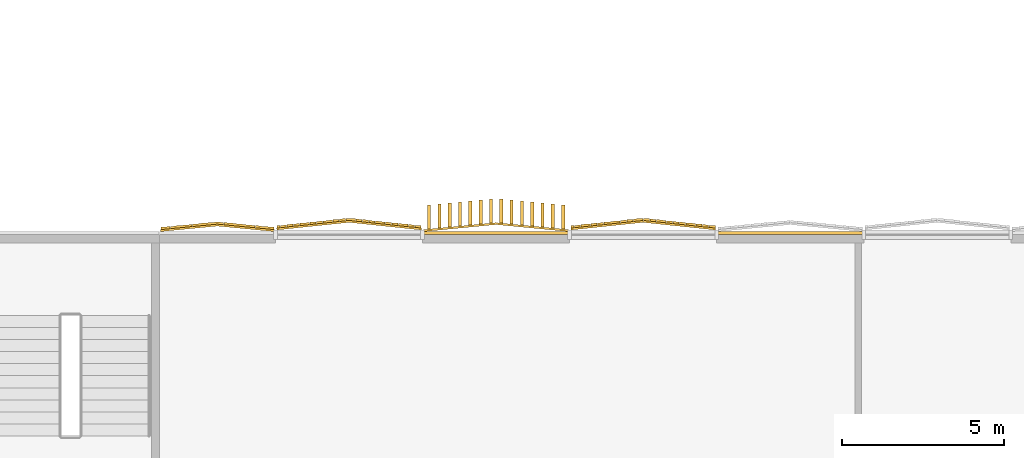
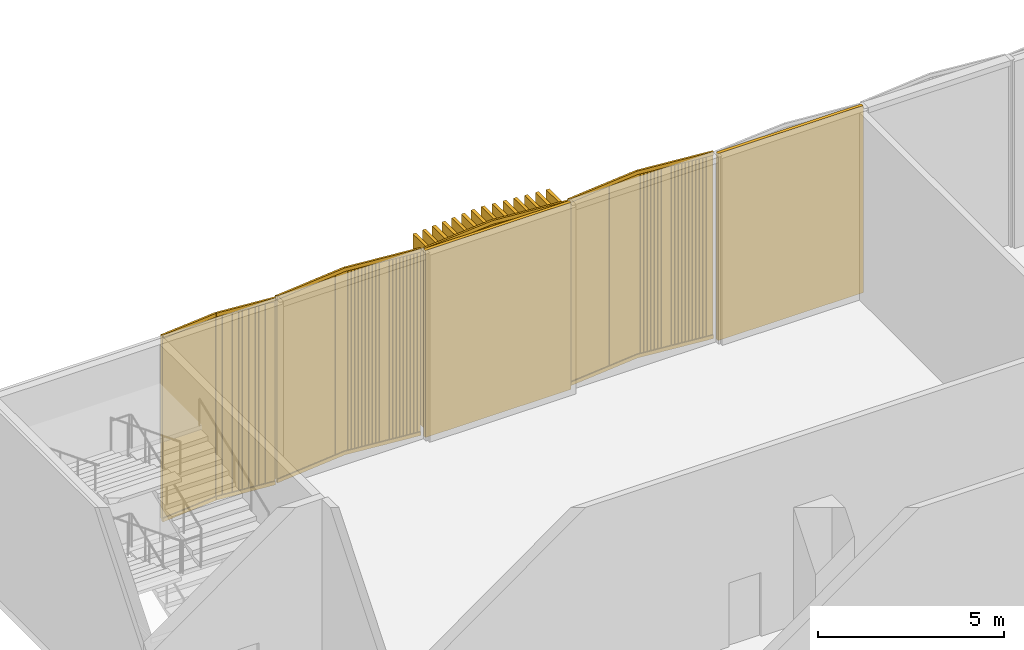
# One storey, part 30 of 32: 6 coverings.
"""IFC4 building model written with IfcOpenShell, lengths in metres."""

from ifc_helpers import new_model, si_unit, direction, frame, frame_2d, origin, origin_2d, place, context, subcontext, project, spatial, rectangle, extrude, source, transform, mapped, material, layer, layer_set, type_object, element, save


model = new_model("IFC4")

# Units and contexts
model_context = context("Model", 3, precision=1e-05, world=origin(), true_north=direction((0.0, 1.0)))
body_context = subcontext(model_context, "Body", "Model", "MODEL_VIEW")
ifc_project = project(units=[si_unit("LENGTHUNIT", "METRE"), si_unit("AREAUNIT", "SQUARE_METRE"), si_unit("VOLUMEUNIT", "CUBIC_METRE"), si_unit("PLANEANGLEUNIT", "RADIAN"), si_unit("MASSUNIT", "GRAM", prefix="KILO")], contexts=[model_context])

# Site, building, storey
site_placement = place(None, origin())
site = spatial("IfcSite", under=ifc_project, at=site_placement, CompositionType="ELEMENT")
building_placement = place(site_placement, origin())
building = spatial("IfcBuilding", under=site, at=building_placement, Name="Tamra Quay Hotel Tower", CompositionType="ELEMENT")
storey_placement = place(building_placement, frame((0.0, 0.0, 7.5)))
storey = spatial("IfcBuildingStorey", under=building, at=storey_placement, Name="L01", CompositionType="ELEMENT", Elevation=7.5)

# Coverings
ifc_material_1 = material(Name="Precast concrete M60 terracotta-coloured pierced relief", Category="masonry")
ifc_layer = layer(ifc_material_1, 0.10009765625)
ifc_layer_set = layer_set([ifc_layer], Name="PIERCED RELIEF PANEL 100")
covering_type_1 = type_object("IfcCoveringType", Name="PIERCED RELIEF PANEL 100", PredefinedType="CLADDING", material=ifc_layer_set)
for number, where, z_axis, x_axis, name in (
    (1, (-64.09619140625, 32.050048828125, 0.0), (0.0, 0.0, 1.0), (-1.0, 0.0, 0.0), "Relief panel L01.NW.18"),
    (2, (-73.1884765625, 32.050048828125, 0.0), (0.0, 0.0, 1.0), (-1.0, 0.0, 0.0), "Relief panel L01.NW.20"),
):
    element("IfcCovering", number, at=place(storey_placement, frame(where, z_axis=z_axis, x_axis=x_axis)), inside=storey, type_object=covering_type_1, Name=name, PredefinedType="CLADDING", context=body_context, shape_type="SweptSolid", body=[
        extrude(rectangle(XDim=4.526123046875, YDim=0.10009765625, at=origin_2d()), origin(), (0.0, 0.0, 1.0), 6.14990234375),
    ])
ifc_material_2 = material(Name="Terracotta baguette extruded", Category="masonry")
covering_type_2 = type_object("IfcCoveringType", Name="BAGUETTE SCREEN PODIUM-SHALLOW H6150", PredefinedType="USERDEFINED", material=ifc_material_2)
shared_shape_1 = source(origin(), body_context, "Body", "SweptSolid", [
    extrude(rectangle(XDim=2.244873046875, YDim=0.06005859375, at=frame_2d((1.12255859375, 0.030029296875))), frame((-2.23876953125, -0.0576171875, -0.1201171875), z_axis=(0.0, 0.0, 1.0), x_axis=(0.994521895368, -0.104528463268, 0.0)), (0.0, 0.0, 1.0), 0.1201171875),
    extrude(rectangle(XDim=2.244873046875, YDim=0.06005859375, at=frame_2d((1.12255859375, 0.030029296875))), frame((-2.23876953125, -0.0576171875, -6.14990234375), z_axis=(0.0, 0.0, 1.0), x_axis=(0.994521895368, -0.104528463268, 0.0)), (0.0, 0.0, 1.0), 0.1201171875),
    extrude(rectangle(XDim=0.094970703125, YDim=0.10009765625, at=frame_2d((0.04736328125, 0.050048828125))), frame((-2.229248046875, -0.13330078125, -6.090087890625)), (0.0, 0.0, 1.0), 6.030029296875),
    extrude(rectangle(XDim=0.094970703125, YDim=0.10009765625, at=frame_2d((0.04736328125, 0.050048828125))), frame((-2.127685546875, -0.14404296875, -6.090087890625)), (0.0, 0.0, 1.0), 6.030029296875),
    extrude(rectangle(XDim=0.094970703125, YDim=0.10009765625, at=frame_2d((0.04736328125, 0.050048828125))), frame((-2.0263671875, -0.154541015625, -6.090087890625)), (0.0, 0.0, 1.0), 6.030029296875),
    extrude(rectangle(XDim=0.094970703125, YDim=0.10009765625, at=frame_2d((0.04736328125, 0.050048828125))), frame((-1.9248046875, -0.165283203125, -6.090087890625)), (0.0, 0.0, 1.0), 6.030029296875),
    extrude(rectangle(XDim=0.094970703125, YDim=0.10009765625, at=frame_2d((0.04736328125, 0.050048828125))), frame((-1.8232421875, -0.176025390625, -6.090087890625)), (0.0, 0.0, 1.0), 6.030029296875),
    extrude(rectangle(XDim=0.094970703125, YDim=0.10009765625, at=frame_2d((0.04736328125, 0.050048828125))), frame((-1.721923828125, -0.186767578125, -6.090087890625)), (0.0, 0.0, 1.0), 6.030029296875),
    extrude(rectangle(XDim=0.094970703125, YDim=0.10009765625, at=frame_2d((0.04736328125, 0.050048828125))), frame((-1.620361328125, -0.197265625, -6.090087890625)), (0.0, 0.0, 1.0), 6.030029296875),
    extrude(rectangle(XDim=0.094970703125, YDim=0.10009765625, at=frame_2d((0.04736328125, 0.050048828125))), frame((-1.518798828125, -0.2080078125, -6.090087890625)), (0.0, 0.0, 1.0), 6.030029296875),
    extrude(rectangle(XDim=0.094970703125, YDim=0.10009765625, at=frame_2d((0.04736328125, 0.050048828125))), frame((-1.41748046875, -0.21875, -6.090087890625)), (0.0, 0.0, 1.0), 6.030029296875),
    extrude(rectangle(XDim=0.094970703125, YDim=0.10009765625, at=frame_2d((0.04736328125, 0.050048828125))), frame((-1.31591796875, -0.229248046875, -6.090087890625)), (0.0, 0.0, 1.0), 6.030029296875),
    extrude(rectangle(XDim=0.094970703125, YDim=0.10009765625, at=frame_2d((0.04736328125, 0.050048828125))), frame((-1.214599609375, -0.239990234375, -6.090087890625)), (0.0, 0.0, 1.0), 6.030029296875),
    extrude(rectangle(XDim=0.094970703125, YDim=0.10009765625, at=frame_2d((0.04736328125, 0.050048828125))), frame((-1.113037109375, -0.250732421875, -6.090087890625)), (0.0, 0.0, 1.0), 6.030029296875),
    extrude(rectangle(XDim=0.094970703125, YDim=0.10009765625, at=frame_2d((0.04736328125, 0.050048828125))), frame((-1.011474609375, -0.26123046875, -6.090087890625)), (0.0, 0.0, 1.0), 6.030029296875),
    extrude(rectangle(XDim=0.094970703125, YDim=0.10009765625, at=frame_2d((0.04736328125, 0.050048828125))), frame((-0.91015625, -0.27197265625, -6.090087890625)), (0.0, 0.0, 1.0), 6.030029296875),
    extrude(rectangle(XDim=0.094970703125, YDim=0.10009765625, at=frame_2d((0.04736328125, 0.050048828125))), frame((-0.80859375, -0.28271484375, -6.090087890625)), (0.0, 0.0, 1.0), 6.030029296875),
    extrude(rectangle(XDim=0.094970703125, YDim=0.10009765625, at=frame_2d((0.04736328125, 0.050048828125))), frame((-0.70703125, -0.293212890625, -6.090087890625)), (0.0, 0.0, 1.0), 6.030029296875),
    extrude(rectangle(XDim=0.094970703125, YDim=0.10009765625, at=frame_2d((0.04736328125, 0.050048828125))), frame((-0.605712890625, -0.303955078125, -6.090087890625)), (0.0, 0.0, 1.0), 6.030029296875),
    extrude(rectangle(XDim=0.094970703125, YDim=0.10009765625, at=frame_2d((0.04736328125, 0.050048828125))), frame((-0.504150390625, -0.314697265625, -6.090087890625)), (0.0, 0.0, 1.0), 6.030029296875),
    extrude(rectangle(XDim=0.094970703125, YDim=0.10009765625, at=frame_2d((0.04736328125, 0.050048828125))), frame((-0.402587890625, -0.325439453125, -6.090087890625)), (0.0, 0.0, 1.0), 6.030029296875),
    extrude(rectangle(XDim=0.094970703125, YDim=0.10009765625, at=frame_2d((0.04736328125, 0.050048828125))), frame((-0.30126953125, -0.3359375, -6.090087890625)), (0.0, 0.0, 1.0), 6.030029296875),
    extrude(rectangle(XDim=0.094970703125, YDim=0.10009765625, at=frame_2d((0.04736328125, 0.050048828125))), frame((-0.19970703125, -0.3466796875, -6.090087890625)), (0.0, 0.0, 1.0), 6.030029296875),
    extrude(rectangle(XDim=0.094970703125, YDim=0.10009765625, at=frame_2d((0.04736328125, 0.050048828125))), frame((-0.09814453125, -0.357421875, -6.090087890625)), (0.0, 0.0, 1.0), 6.030029296875),
    extrude(rectangle(XDim=2.244873046875, YDim=0.06005859375, at=frame_2d((1.12255859375, 0.030029296875))), frame((0.00634765625, -0.292236328125, -0.1201171875), z_axis=(0.0, 0.0, 1.0), x_axis=(0.994521895368, 0.104528463268, 0.0)), (0.0, 0.0, 1.0), 0.1201171875),
    extrude(rectangle(XDim=2.244873046875, YDim=0.06005859375, at=frame_2d((1.12255859375, 0.030029296875))), frame((0.00634765625, -0.292236328125, -6.14990234375), z_axis=(0.0, 0.0, 1.0), x_axis=(0.994521895368, 0.104528463268, 0.0)), (0.0, 0.0, 1.0), 0.1201171875),
    extrude(rectangle(XDim=0.094970703125, YDim=0.10009765625, at=frame_2d((0.04736328125, 0.050048828125))), frame((0.003173828125, -0.357421875, -6.090087890625)), (0.0, 0.0, 1.0), 6.030029296875),
    extrude(rectangle(XDim=0.094970703125, YDim=0.10009765625, at=frame_2d((0.04736328125, 0.050048828125))), frame((0.104736328125, -0.3466796875, -6.090087890625)), (0.0, 0.0, 1.0), 6.030029296875),
    extrude(rectangle(XDim=0.094970703125, YDim=0.10009765625, at=frame_2d((0.04736328125, 0.050048828125))), frame((0.206298828125, -0.3359375, -6.090087890625)), (0.0, 0.0, 1.0), 6.030029296875),
    extrude(rectangle(XDim=0.094970703125, YDim=0.10009765625, at=frame_2d((0.04736328125, 0.050048828125))), frame((0.3076171875, -0.325439453125, -6.090087890625)), (0.0, 0.0, 1.0), 6.030029296875),
    extrude(rectangle(XDim=0.094970703125, YDim=0.10009765625, at=frame_2d((0.04736328125, 0.050048828125))), frame((0.4091796875, -0.314697265625, -6.090087890625)), (0.0, 0.0, 1.0), 6.030029296875),
    extrude(rectangle(XDim=0.094970703125, YDim=0.10009765625, at=frame_2d((0.04736328125, 0.050048828125))), frame((0.510498046875, -0.303955078125, -6.090087890625)), (0.0, 0.0, 1.0), 6.030029296875),
    extrude(rectangle(XDim=0.094970703125, YDim=0.10009765625, at=frame_2d((0.04736328125, 0.050048828125))), frame((0.612060546875, -0.293212890625, -6.090087890625)), (0.0, 0.0, 1.0), 6.030029296875),
    extrude(rectangle(XDim=0.094970703125, YDim=0.10009765625, at=frame_2d((0.04736328125, 0.050048828125))), frame((0.713623046875, -0.28271484375, -6.090087890625)), (0.0, 0.0, 1.0), 6.030029296875),
    extrude(rectangle(XDim=0.094970703125, YDim=0.10009765625, at=frame_2d((0.04736328125, 0.050048828125))), frame((0.81494140625, -0.27197265625, -6.090087890625)), (0.0, 0.0, 1.0), 6.030029296875),
    extrude(rectangle(XDim=0.094970703125, YDim=0.10009765625, at=frame_2d((0.04736328125, 0.050048828125))), frame((0.91650390625, -0.26123046875, -6.090087890625)), (0.0, 0.0, 1.0), 6.030029296875),
    extrude(rectangle(XDim=0.094970703125, YDim=0.10009765625, at=frame_2d((0.04736328125, 0.050048828125))), frame((1.01806640625, -0.250732421875, -6.090087890625)), (0.0, 0.0, 1.0), 6.030029296875),
    extrude(rectangle(XDim=0.094970703125, YDim=0.10009765625, at=frame_2d((0.04736328125, 0.050048828125))), frame((1.119384765625, -0.239990234375, -6.090087890625)), (0.0, 0.0, 1.0), 6.030029296875),
    extrude(rectangle(XDim=0.094970703125, YDim=0.10009765625, at=frame_2d((0.04736328125, 0.050048828125))), frame((1.220947265625, -0.229248046875, -6.090087890625)), (0.0, 0.0, 1.0), 6.030029296875),
    extrude(rectangle(XDim=0.094970703125, YDim=0.10009765625, at=frame_2d((0.04736328125, 0.050048828125))), frame((1.322509765625, -0.21875, -6.090087890625)), (0.0, 0.0, 1.0), 6.030029296875),
    extrude(rectangle(XDim=0.094970703125, YDim=0.10009765625, at=frame_2d((0.04736328125, 0.050048828125))), frame((1.423828125, -0.2080078125, -6.090087890625)), (0.0, 0.0, 1.0), 6.030029296875),
    extrude(rectangle(XDim=0.094970703125, YDim=0.10009765625, at=frame_2d((0.04736328125, 0.050048828125))), frame((1.525390625, -0.197265625, -6.090087890625)), (0.0, 0.0, 1.0), 6.030029296875),
    extrude(rectangle(XDim=0.094970703125, YDim=0.10009765625, at=frame_2d((0.04736328125, 0.050048828125))), frame((1.626953125, -0.186767578125, -6.090087890625)), (0.0, 0.0, 1.0), 6.030029296875),
    extrude(rectangle(XDim=0.094970703125, YDim=0.10009765625, at=frame_2d((0.04736328125, 0.050048828125))), frame((1.728271484375, -0.176025390625, -6.090087890625)), (0.0, 0.0, 1.0), 6.030029296875),
    extrude(rectangle(XDim=0.094970703125, YDim=0.10009765625, at=frame_2d((0.04736328125, 0.050048828125))), frame((1.829833984375, -0.165283203125, -6.090087890625)), (0.0, 0.0, 1.0), 6.030029296875),
    extrude(rectangle(XDim=0.094970703125, YDim=0.10009765625, at=frame_2d((0.04736328125, 0.050048828125))), frame((1.931396484375, -0.154541015625, -6.090087890625)), (0.0, 0.0, 1.0), 6.030029296875),
    extrude(rectangle(XDim=0.094970703125, YDim=0.10009765625, at=frame_2d((0.04736328125, 0.050048828125))), frame((2.03271484375, -0.14404296875, -6.090087890625)), (0.0, 0.0, 1.0), 6.030029296875),
    extrude(rectangle(XDim=0.094970703125, YDim=0.10009765625, at=frame_2d((0.04736328125, 0.050048828125))), frame((2.13427734375, -0.13330078125, -6.090087890625)), (0.0, 0.0, 1.0), 6.030029296875),
])
for number, where, z_axis, x_axis, name in (
    (3, (-68.642333984375, 32.14794921875, 6.14990234375), (0.0, 0.0, 1.0), (-1.0, 0.0, 0.0), "Baguette screen L01.NW.f02"),
    (4, (-77.734619140625, 32.14794921875, 6.14990234375), (0.0, 0.0, 1.0), (-1.0, 0.0, 0.0), "Baguette screen L01.NW.f03"),
):
    element("IfcCovering", number, at=place(storey_placement, frame(where, z_axis=z_axis, x_axis=x_axis)), inside=storey, type_object=covering_type_2, Name=name, ObjectType="BAGUETTE SCREEN", PredefinedType="USERDEFINED", context=body_context, shape_type="MappedRepresentation", body=[
        mapped(shared_shape_1, transform((0.0, 0.0, 0.0), scale=1.0)),
    ])
covering_type_3 = type_object("IfcCoveringType", Name="BAGUETTE SCREEN NW-DEEP H6150", PredefinedType="USERDEFINED", material=ifc_material_2)
shared_shape_2 = source(origin(), body_context, "Body", "SweptSolid", [
    extrude(rectangle(XDim=2.242919921875, YDim=0.06005859375, at=frame_2d((1.12158203125, 0.030029296875))), frame((-2.23828125, -0.0576171875, -0.1201171875), z_axis=(0.0, 0.0, 1.0), x_axis=(0.995396198367, -0.09584575252, 0.0)), (0.0, 0.0, 1.0), 0.1201171875),
    extrude(rectangle(XDim=2.242919921875, YDim=0.06005859375, at=frame_2d((1.12158203125, 0.030029296875))), frame((-2.23828125, -0.0576171875, -6.14990234375), z_axis=(0.0, 0.0, 1.0), x_axis=(0.995396198367, -0.09584575252, 0.0)), (0.0, 0.0, 1.0), 0.1201171875),
    extrude(rectangle(XDim=0.10009765625, YDim=0.780029296875, at=frame_2d((0.050048828125, 0.39013671875))), frame((-2.123046875, -0.8232421875, -6.090087890625)), (0.0, 0.0, 1.0), 6.030029296875),
    extrude(rectangle(XDim=0.10009765625, YDim=0.780029296875, at=frame_2d((0.050048828125, 0.39013671875))), frame((-1.80419921875, -0.85400390625, -6.090087890625)), (0.0, 0.0, 1.0), 6.030029296875),
    extrude(rectangle(XDim=0.10009765625, YDim=0.780029296875, at=frame_2d((0.050048828125, 0.39013671875))), frame((-1.485107421875, -0.884765625, -6.090087890625)), (0.0, 0.0, 1.0), 6.030029296875),
    extrude(rectangle(XDim=0.10009765625, YDim=0.780029296875, at=frame_2d((0.050048828125, 0.39013671875))), frame((-1.166259765625, -0.91552734375, -6.090087890625)), (0.0, 0.0, 1.0), 6.030029296875),
    extrude(rectangle(XDim=0.10009765625, YDim=0.780029296875, at=frame_2d((0.050048828125, 0.39013671875))), frame((-0.847412109375, -0.9462890625, -6.090087890625)), (0.0, 0.0, 1.0), 6.030029296875),
    extrude(rectangle(XDim=0.10009765625, YDim=0.780029296875, at=frame_2d((0.050048828125, 0.39013671875))), frame((-0.5283203125, -0.976806640625, -6.090087890625)), (0.0, 0.0, 1.0), 6.030029296875),
    extrude(rectangle(XDim=0.10009765625, YDim=0.780029296875, at=frame_2d((0.050048828125, 0.39013671875))), frame((-0.20947265625, -1.007568359375, -6.090087890625)), (0.0, 0.0, 1.0), 6.030029296875),
    extrude(rectangle(XDim=2.242919921875, YDim=0.06005859375, at=frame_2d((1.12158203125, 0.030029296875))), frame((0.005859375, -0.272705078125, -0.1201171875), z_axis=(0.0, 0.0, 1.0), x_axis=(0.995396198367, 0.09584575252, 0.0)), (0.0, 0.0, 1.0), 0.1201171875),
    extrude(rectangle(XDim=2.242919921875, YDim=0.06005859375, at=frame_2d((1.12158203125, 0.030029296875))), frame((0.005859375, -0.272705078125, -6.14990234375), z_axis=(0.0, 0.0, 1.0), x_axis=(0.995396198367, 0.09584575252, 0.0)), (0.0, 0.0, 1.0), 0.1201171875),
    extrude(rectangle(XDim=0.10009765625, YDim=0.780029296875, at=frame_2d((0.050048828125, 0.39013671875))), frame((0.109375, -1.007568359375, -6.090087890625)), (0.0, 0.0, 1.0), 6.030029296875),
    extrude(rectangle(XDim=0.10009765625, YDim=0.780029296875, at=frame_2d((0.050048828125, 0.39013671875))), frame((0.428466796875, -0.976806640625, -6.090087890625)), (0.0, 0.0, 1.0), 6.030029296875),
    extrude(rectangle(XDim=0.10009765625, YDim=0.780029296875, at=frame_2d((0.050048828125, 0.39013671875))), frame((0.747314453125, -0.9462890625, -6.090087890625)), (0.0, 0.0, 1.0), 6.030029296875),
    extrude(rectangle(XDim=0.10009765625, YDim=0.780029296875, at=frame_2d((0.050048828125, 0.39013671875))), frame((1.066162109375, -0.91552734375, -6.090087890625)), (0.0, 0.0, 1.0), 6.030029296875),
    extrude(rectangle(XDim=0.10009765625, YDim=0.780029296875, at=frame_2d((0.050048828125, 0.39013671875))), frame((1.38525390625, -0.884765625, -6.090087890625)), (0.0, 0.0, 1.0), 6.030029296875),
    extrude(rectangle(XDim=0.10009765625, YDim=0.780029296875, at=frame_2d((0.050048828125, 0.39013671875))), frame((1.7041015625, -0.85400390625, -6.090087890625)), (0.0, 0.0, 1.0), 6.030029296875),
    extrude(rectangle(XDim=0.10009765625, YDim=0.780029296875, at=frame_2d((0.050048828125, 0.39013671875))), frame((2.02294921875, -0.8232421875, -6.090087890625)), (0.0, 0.0, 1.0), 6.030029296875),
])
covering_1_placement = place(storey_placement, frame((-73.1884765625, 32.10009765625, 6.14990234375), z_axis=(0.0, 0.0, 1.0), x_axis=(-1.0, 0.0, 0.0)))
element("IfcCovering", 5, at=covering_1_placement, inside=storey, type_object=covering_type_3, Name="Baguette screen wing.L01.NW.20", ObjectType="BAGUETTE SCREEN", PredefinedType="USERDEFINED", context=body_context, shape_type="MappedRepresentation", body=[
    mapped(shared_shape_2, transform((0.0, 0.0, 0.0), scale=1.0)),
])
covering_type_4 = type_object("IfcCoveringType", Name="BAGUETTE SCREEN NW-SHALLOW H6150", PredefinedType="USERDEFINED", material=ifc_material_2)
shared_shape_3 = source(origin(), body_context, "Body", "SweptSolid", [
    extrude(rectangle(XDim=1.760498046875, YDim=0.06005859375, at=frame_2d((0.88037109375, 0.030029296875))), frame((-1.75830078125, -0.0576171875, -0.1201171875), z_axis=(0.0, 0.0, 1.0), x_axis=(0.995396198367, -0.09584575252, 0.0)), (0.0, 0.0, 1.0), 0.1201171875),
    extrude(rectangle(XDim=1.760498046875, YDim=0.06005859375, at=frame_2d((0.88037109375, 0.030029296875))), frame((-1.75830078125, -0.0576171875, -6.14990234375), z_axis=(0.0, 0.0, 1.0), x_axis=(0.995396198367, -0.09584575252, 0.0)), (0.0, 0.0, 1.0), 0.1201171875),
    extrude(rectangle(XDim=0.094970703125, YDim=0.10009765625, at=frame_2d((0.04736328125, 0.050048828125))), frame((-1.751220703125, -0.132568359375, -6.090087890625)), (0.0, 0.0, 1.0), 6.030029296875),
    extrude(rectangle(XDim=0.094970703125, YDim=0.10009765625, at=frame_2d((0.04736328125, 0.050048828125))), frame((-1.654052734375, -0.14208984375, -6.090087890625)), (0.0, 0.0, 1.0), 6.030029296875),
    extrude(rectangle(XDim=0.094970703125, YDim=0.10009765625, at=frame_2d((0.04736328125, 0.050048828125))), frame((-1.556640625, -0.1513671875, -6.090087890625)), (0.0, 0.0, 1.0), 6.030029296875),
    extrude(rectangle(XDim=0.094970703125, YDim=0.10009765625, at=frame_2d((0.04736328125, 0.050048828125))), frame((-1.459228515625, -0.160888671875, -6.090087890625)), (0.0, 0.0, 1.0), 6.030029296875),
    extrude(rectangle(XDim=0.094970703125, YDim=0.10009765625, at=frame_2d((0.04736328125, 0.050048828125))), frame((-1.36181640625, -0.170166015625, -6.090087890625)), (0.0, 0.0, 1.0), 6.030029296875),
    extrude(rectangle(XDim=0.094970703125, YDim=0.10009765625, at=frame_2d((0.04736328125, 0.050048828125))), frame((-1.264404296875, -0.179443359375, -6.090087890625)), (0.0, 0.0, 1.0), 6.030029296875),
    extrude(rectangle(XDim=0.094970703125, YDim=0.10009765625, at=frame_2d((0.04736328125, 0.050048828125))), frame((-1.167236328125, -0.18896484375, -6.090087890625)), (0.0, 0.0, 1.0), 6.030029296875),
    extrude(rectangle(XDim=0.094970703125, YDim=0.10009765625, at=frame_2d((0.04736328125, 0.050048828125))), frame((-1.06982421875, -0.1982421875, -6.090087890625)), (0.0, 0.0, 1.0), 6.030029296875),
    extrude(rectangle(XDim=0.094970703125, YDim=0.10009765625, at=frame_2d((0.04736328125, 0.050048828125))), frame((-0.972412109375, -0.207763671875, -6.090087890625)), (0.0, 0.0, 1.0), 6.030029296875),
    extrude(rectangle(XDim=0.094970703125, YDim=0.10009765625, at=frame_2d((0.04736328125, 0.050048828125))), frame((-0.875, -0.217041015625, -6.090087890625)), (0.0, 0.0, 1.0), 6.030029296875),
    extrude(rectangle(XDim=0.094970703125, YDim=0.10009765625, at=frame_2d((0.04736328125, 0.050048828125))), frame((-0.77783203125, -0.226318359375, -6.090087890625)), (0.0, 0.0, 1.0), 6.030029296875),
    extrude(rectangle(XDim=0.094970703125, YDim=0.10009765625, at=frame_2d((0.04736328125, 0.050048828125))), frame((-0.680419921875, -0.23583984375, -6.090087890625)), (0.0, 0.0, 1.0), 6.030029296875),
    extrude(rectangle(XDim=0.094970703125, YDim=0.10009765625, at=frame_2d((0.04736328125, 0.050048828125))), frame((-0.5830078125, -0.2451171875, -6.090087890625)), (0.0, 0.0, 1.0), 6.030029296875),
    extrude(rectangle(XDim=0.094970703125, YDim=0.10009765625, at=frame_2d((0.04736328125, 0.050048828125))), frame((-0.485595703125, -0.254638671875, -6.090087890625)), (0.0, 0.0, 1.0), 6.030029296875),
    extrude(rectangle(XDim=0.094970703125, YDim=0.10009765625, at=frame_2d((0.04736328125, 0.050048828125))), frame((-0.38818359375, -0.263916015625, -6.090087890625)), (0.0, 0.0, 1.0), 6.030029296875),
    extrude(rectangle(XDim=0.094970703125, YDim=0.10009765625, at=frame_2d((0.04736328125, 0.050048828125))), frame((-0.291015625, -0.273193359375, -6.090087890625)), (0.0, 0.0, 1.0), 6.030029296875),
    extrude(rectangle(XDim=0.094970703125, YDim=0.10009765625, at=frame_2d((0.04736328125, 0.050048828125))), frame((-0.193603515625, -0.28271484375, -6.090087890625)), (0.0, 0.0, 1.0), 6.030029296875),
    extrude(rectangle(XDim=0.094970703125, YDim=0.10009765625, at=frame_2d((0.04736328125, 0.050048828125))), frame((-0.09619140625, -0.2919921875, -6.090087890625)), (0.0, 0.0, 1.0), 6.030029296875),
    extrude(rectangle(XDim=1.760498046875, YDim=0.06005859375, at=frame_2d((0.88037109375, 0.030029296875))), frame((0.005859375, -0.2265625, -0.1201171875), z_axis=(0.0, 0.0, 1.0), x_axis=(0.995396198367, 0.09584575252, 0.0)), (0.0, 0.0, 1.0), 0.1201171875),
    extrude(rectangle(XDim=1.760498046875, YDim=0.06005859375, at=frame_2d((0.88037109375, 0.030029296875))), frame((0.005859375, -0.2265625, -6.14990234375), z_axis=(0.0, 0.0, 1.0), x_axis=(0.995396198367, 0.09584575252, 0.0)), (0.0, 0.0, 1.0), 0.1201171875),
    extrude(rectangle(XDim=0.094970703125, YDim=0.10009765625, at=frame_2d((0.04736328125, 0.050048828125))), frame((0.001220703125, -0.2919921875, -6.090087890625)), (0.0, 0.0, 1.0), 6.030029296875),
    extrude(rectangle(XDim=0.094970703125, YDim=0.10009765625, at=frame_2d((0.04736328125, 0.050048828125))), frame((0.0986328125, -0.28271484375, -6.090087890625)), (0.0, 0.0, 1.0), 6.030029296875),
    extrude(rectangle(XDim=0.094970703125, YDim=0.10009765625, at=frame_2d((0.04736328125, 0.050048828125))), frame((0.19580078125, -0.273193359375, -6.090087890625)), (0.0, 0.0, 1.0), 6.030029296875),
    extrude(rectangle(XDim=0.094970703125, YDim=0.10009765625, at=frame_2d((0.04736328125, 0.050048828125))), frame((0.293212890625, -0.263916015625, -6.090087890625)), (0.0, 0.0, 1.0), 6.030029296875),
    extrude(rectangle(XDim=0.094970703125, YDim=0.10009765625, at=frame_2d((0.04736328125, 0.050048828125))), frame((0.390625, -0.254638671875, -6.090087890625)), (0.0, 0.0, 1.0), 6.030029296875),
    extrude(rectangle(XDim=0.094970703125, YDim=0.10009765625, at=frame_2d((0.04736328125, 0.050048828125))), frame((0.488037109375, -0.2451171875, -6.090087890625)), (0.0, 0.0, 1.0), 6.030029296875),
    extrude(rectangle(XDim=0.094970703125, YDim=0.10009765625, at=frame_2d((0.04736328125, 0.050048828125))), frame((0.58544921875, -0.23583984375, -6.090087890625)), (0.0, 0.0, 1.0), 6.030029296875),
    extrude(rectangle(XDim=0.094970703125, YDim=0.10009765625, at=frame_2d((0.04736328125, 0.050048828125))), frame((0.6826171875, -0.226318359375, -6.090087890625)), (0.0, 0.0, 1.0), 6.030029296875),
    extrude(rectangle(XDim=0.094970703125, YDim=0.10009765625, at=frame_2d((0.04736328125, 0.050048828125))), frame((0.780029296875, -0.217041015625, -6.090087890625)), (0.0, 0.0, 1.0), 6.030029296875),
    extrude(rectangle(XDim=0.094970703125, YDim=0.10009765625, at=frame_2d((0.04736328125, 0.050048828125))), frame((0.87744140625, -0.207763671875, -6.090087890625)), (0.0, 0.0, 1.0), 6.030029296875),
    extrude(rectangle(XDim=0.094970703125, YDim=0.10009765625, at=frame_2d((0.04736328125, 0.050048828125))), frame((0.974853515625, -0.1982421875, -6.090087890625)), (0.0, 0.0, 1.0), 6.030029296875),
    extrude(rectangle(XDim=0.094970703125, YDim=0.10009765625, at=frame_2d((0.04736328125, 0.050048828125))), frame((1.072265625, -0.18896484375, -6.090087890625)), (0.0, 0.0, 1.0), 6.030029296875),
    extrude(rectangle(XDim=0.094970703125, YDim=0.10009765625, at=frame_2d((0.04736328125, 0.050048828125))), frame((1.16943359375, -0.179443359375, -6.090087890625)), (0.0, 0.0, 1.0), 6.030029296875),
    extrude(rectangle(XDim=0.094970703125, YDim=0.10009765625, at=frame_2d((0.04736328125, 0.050048828125))), frame((1.266845703125, -0.170166015625, -6.090087890625)), (0.0, 0.0, 1.0), 6.030029296875),
    extrude(rectangle(XDim=0.094970703125, YDim=0.10009765625, at=frame_2d((0.04736328125, 0.050048828125))), frame((1.3642578125, -0.160888671875, -6.090087890625)), (0.0, 0.0, 1.0), 6.030029296875),
    extrude(rectangle(XDim=0.094970703125, YDim=0.10009765625, at=frame_2d((0.04736328125, 0.050048828125))), frame((1.461669921875, -0.1513671875, -6.090087890625)), (0.0, 0.0, 1.0), 6.030029296875),
    extrude(rectangle(XDim=0.094970703125, YDim=0.10009765625, at=frame_2d((0.04736328125, 0.050048828125))), frame((1.55908203125, -0.14208984375, -6.090087890625)), (0.0, 0.0, 1.0), 6.030029296875),
    extrude(rectangle(XDim=0.094970703125, YDim=0.10009765625, at=frame_2d((0.04736328125, 0.050048828125))), frame((1.65625, -0.132568359375, -6.090087890625)), (0.0, 0.0, 1.0), 6.030029296875),
])
covering_2_placement = place(storey_placement, frame((-81.803955078125, 32.10009765625, 6.14990234375), z_axis=(0.0, 0.0, 1.0), x_axis=(-1.0, 0.0, 0.0)))
element("IfcCovering", 6, at=covering_2_placement, inside=storey, type_object=covering_type_4, Name="Baguette screen wing.L01.NW.22", ObjectType="BAGUETTE SCREEN", PredefinedType="USERDEFINED", context=body_context, shape_type="MappedRepresentation", body=[
    mapped(shared_shape_3, transform((0.0, 0.0, 0.0), scale=1.0)),
])

save(model, "model.ifc")
